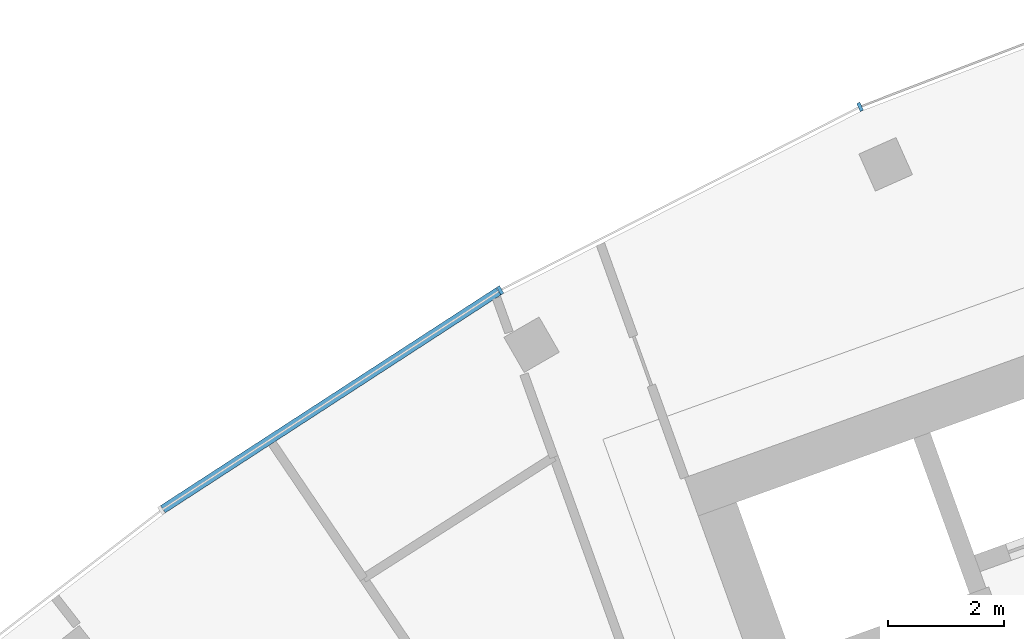
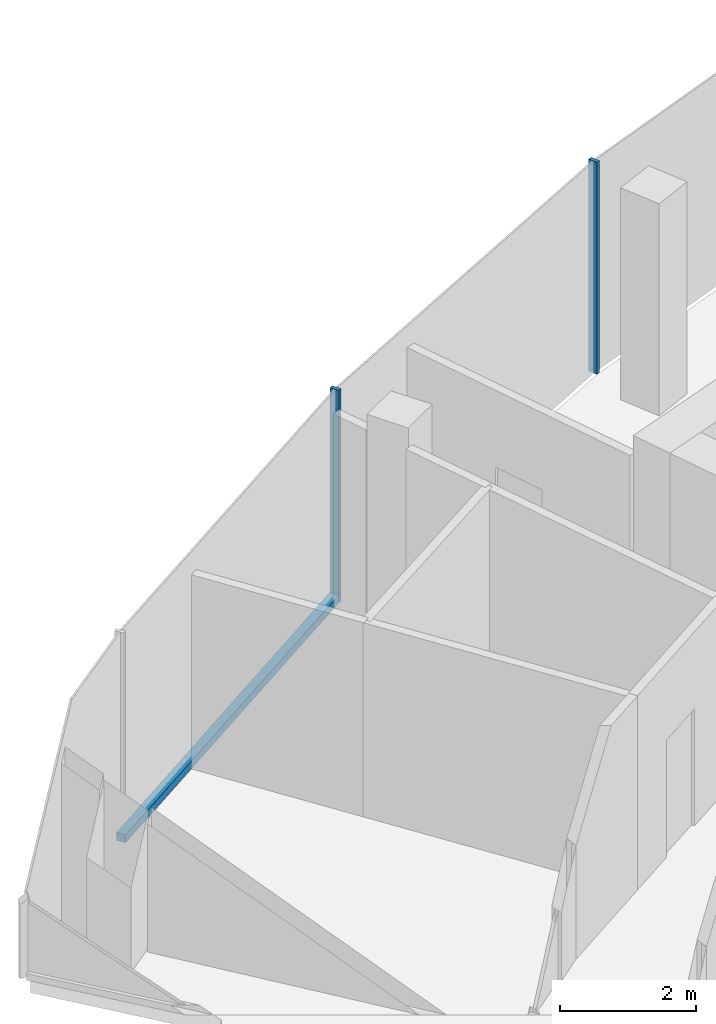
# One storey, part 4 of 18: 3 members, 1 element without a shape of its own.
"""IFC4 building model written with IfcOpenShell, lengths in metres."""

from ifc_helpers import new_model, si_unit, direction, frame, origin, origin_2d, place, context, subcontext, project, spatial, rectangle, extrude, material, layer, layer_set, material_profile, profile_set, type_object, element, aggregate, save


model = new_model("IFC4")

# Units and contexts
model_context = context("Model", 3, precision=1e-05, world=origin(), true_north=direction((0.0, 1.0)))
body_context = subcontext(model_context, "Body", "Model", "MODEL_VIEW")
ifc_project = project(units=[si_unit("LENGTHUNIT", "METRE"), si_unit("AREAUNIT", "SQUARE_METRE"), si_unit("VOLUMEUNIT", "CUBIC_METRE"), si_unit("PLANEANGLEUNIT", "RADIAN"), si_unit("MASSUNIT", "GRAM", prefix="KILO")], contexts=[model_context])

# Site, building, storey
site_placement = place(None, origin())
site = spatial("IfcSite", under=ifc_project, at=site_placement, CompositionType="ELEMENT")
building_placement = place(site_placement, origin())
building = spatial("IfcBuilding", under=site, at=building_placement, Name="Stone Belt Terrace Tower", CompositionType="ELEMENT")
storey_placement = place(building_placement, frame((0.0, 0.0, 296.0)))
storey = spatial("IfcBuildingStorey", under=building, at=storey_placement, Name="L72", CompositionType="ELEMENT", Elevation=296.0)

# Curtain wall, members
ifc_material = material(Name="Aluminium 6063-T6 anodised frame", Category="aluminium")
ifc_layer = layer(ifc_material, 0.14990234375)
ifc_layer_set = layer_set([ifc_layer], Name="CW-A unitised convex-face curtain wall")
curtain_wall_type = type_object("IfcCurtainWallType", Name="CW-A unitised convex-face curtain wall", PredefinedType="NOTDEFINED", material=ifc_layer_set)
curtain_wall_placement = place(storey_placement, origin())
curtain_wall = element("IfcCurtainWall", 1, at=curtain_wall_placement, inside=storey, type_object=curtain_wall_type, Name="CW-A convex face L72", PredefinedType="NOTDEFINED")
ifc_material_profile_1 = material_profile(ifc_material, rectangle(XDim=0.14990234375, YDim=0.06005859375, at=origin_2d()), Name="Aluminium 6063-T6 60x150")
ifc_profile_set_1 = profile_set([ifc_material_profile_1], Name="Aluminium 6063-T6 anodised frame")
member_type_1 = type_object("IfcMemberType", Name="CW-A mullion 60 x 150", PredefinedType="MULLION", material=ifc_profile_set_1)
member_1_placement = place(storey_placement, frame((-27.07861328125, 60.8193359375, 0.0), z_axis=(0.0, 0.0, 1.0), x_axis=(0.406736643076, -0.913545457643, 0.0)))
member_1 = element("IfcMember", 2, at=member_1_placement, type_object=member_type_1, Name="CW-A mullion 12", PredefinedType="MULLION", context=body_context, shape_type="SweptSolid", body=[
    extrude(rectangle(XDim=0.14990234375, YDim=0.06005859375, at=origin_2d()), origin(), (0.0, 0.0, 1.0), 3.800048828125),
])
member_2_placement = place(storey_placement, frame((-33.28759765625, 57.65576171875, 0.0), z_axis=(0.0, 0.0, 1.0), x_axis=(0.5, -0.866025403784, 0.0)))
member_2 = element("IfcMember", 3, at=member_2_placement, type_object=member_type_1, Name="CW-A mullion 13", PredefinedType="MULLION", context=body_context, shape_type="SweptSolid", body=[
    extrude(rectangle(XDim=0.14990234375, YDim=0.06005859375, at=origin_2d()), origin(), (0.0, 0.0, 1.0), 3.800048828125),
])
ifc_material_profile_2 = material_profile(ifc_material, rectangle(XDim=0.14990234375, YDim=0.139892578125, at=origin_2d()), Name="Aluminium 6063-T6 150x140")
ifc_profile_set_2 = profile_set([ifc_material_profile_2], Name="Aluminium 6063-T6 anodised frame")
member_type_2 = type_object("IfcMemberType", Name="CW-A transom 140 x 150", PredefinedType="USERDEFINED", material=ifc_profile_set_2)
member_3_placement = place(storey_placement, frame((-33.31591796875, 57.63720703125, 0.070068359375), z_axis=(-0.83868440714, -0.544617723931, 0.0), x_axis=(0.544617723931, -0.83868440714, 0.0)))
member_3 = element("IfcMember", 4, at=member_3_placement, type_object=member_type_2, Name="CW-A transom 13.1", ObjectType="TRANSOM", PredefinedType="USERDEFINED", context=body_context, shape_type="SweptSolid", body=[
    extrude(rectangle(XDim=0.14990234375, YDim=0.139892578125, at=origin_2d()), origin(), (0.0, 0.0, 1.0), 6.90087890625),
])
aggregate(curtain_wall, [member_1, member_2, member_3])

save(model, "model.ifc")
